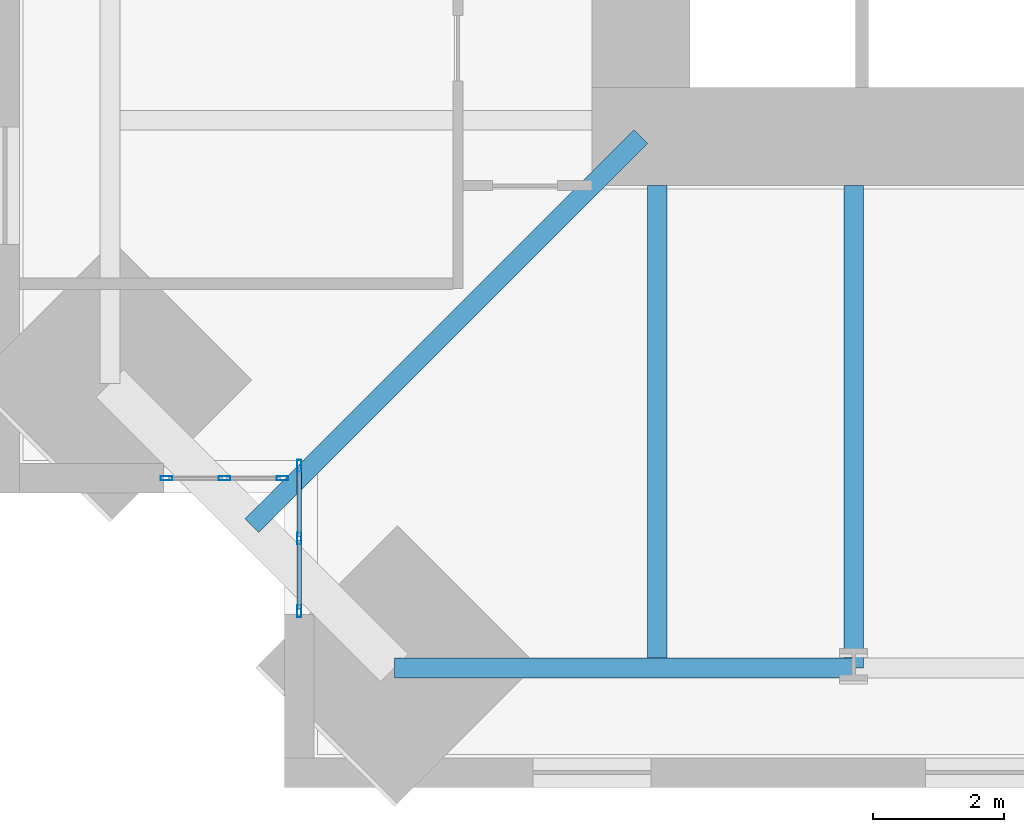
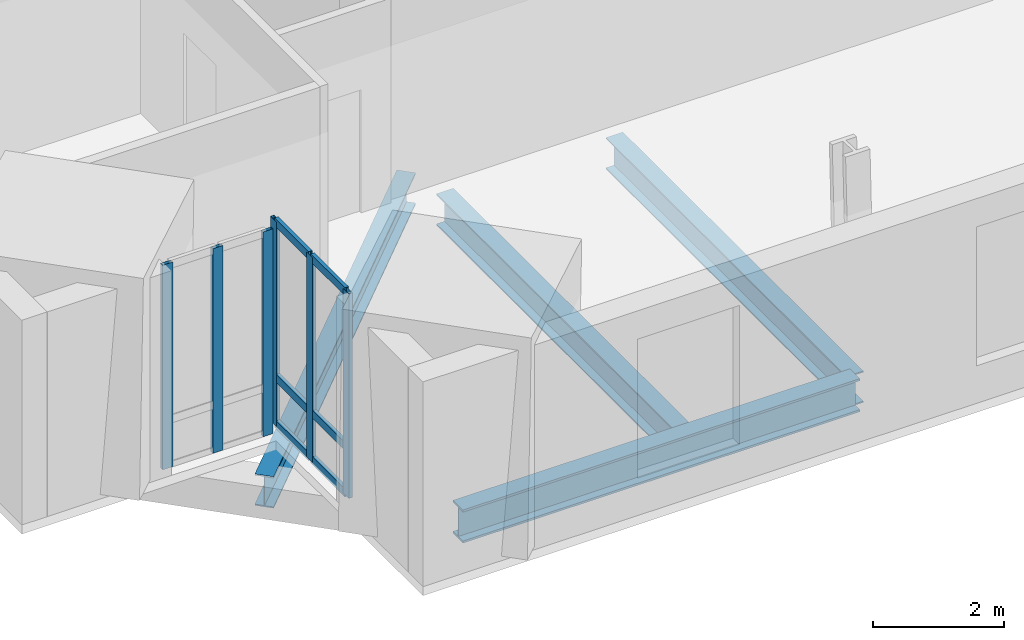
# One storey, part 2 of 15: 12 members, 4 beams, 2 elements without a shape of their own.
"""IFC4 building model written with IfcOpenShell, lengths in metres."""

from ifc_helpers import new_model, si_unit, direction, frame, origin, origin_2d, place, context, subcontext, project, spatial, hollow_rectangle, i_section, extrude, material, material_profile, profile_set, type_object, element, aggregate, save


model = new_model("IFC4")

# Units and contexts
model_context = context("Model", 3, precision=1e-05, world=origin(), true_north=direction((0.0, 1.0)))
body_context = subcontext(model_context, "Body", "Model", "MODEL_VIEW")
ifc_project = project(units=[si_unit("LENGTHUNIT", "METRE"), si_unit("AREAUNIT", "SQUARE_METRE"), si_unit("VOLUMEUNIT", "CUBIC_METRE"), si_unit("PLANEANGLEUNIT", "RADIAN"), si_unit("MASSUNIT", "GRAM", prefix="KILO")], contexts=[model_context])

# Site, building, storey
site_placement = place(None, origin())
site = spatial("IfcSite", under=ifc_project, at=site_placement, CompositionType="ELEMENT")
building_placement = place(site_placement, origin())
building = spatial("IfcBuilding", under=site, at=building_placement, Name="Peilmerk Tower", CompositionType="ELEMENT")
storey_placement = place(building_placement, frame((0.0, 0.0, 285.800048828125)))
storey = spatial("IfcBuildingStorey", under=building, at=storey_placement, Name="L64", CompositionType="ELEMENT", Elevation=285.800048828125)

# Beams
ifc_material_1 = material(Name="Steel S355", Category="steel")
ifc_material_profile_1 = material_profile(ifc_material_1, i_section(OverallWidth=0.300048828125, OverallDepth=0.590087890625, WebThickness=0.012939453125, FlangeThickness=0.02490234375, at=origin_2d()), Name="HEA 600")
ifc_profile_set_1 = profile_set([ifc_material_profile_1], Name="Steel S355")
beam_type_1 = type_object("IfcBeamType", Name="B27 HEA 600 floor beam", PredefinedType="BEAM", material=ifc_profile_set_1)
for number, where, z_axis, x_axis, name in (
    (1, (-11.0, -12.0, -0.465087890625), (0.0, -1.0, 0.0), (1.0, 0.0, 0.0), "Floor beam L64"),
    (2, (-8.0, -12.0, -0.465087890625), (0.0, -1.0, 0.0), (1.0, 0.0, 0.0), "Floor beam L64"),
):
    element("IfcBeam", number, at=place(storey_placement, frame(where, z_axis=z_axis, x_axis=x_axis)), inside=storey, type_object=beam_type_1, Name=name, PredefinedType="BEAM", context=body_context, shape_type="SweptSolid", body=[
        extrude(i_section(OverallWidth=0.300048828125, OverallDepth=0.590087890625, WebThickness=0.012939453125, FlangeThickness=0.02490234375, at=origin_2d()), origin(), (0.0, 0.0, 1.0), 7.37255859375),
    ])
beam_1_placement = place(storey_placement, frame((-11.25, -11.25, -0.465087890625), z_axis=(-0.707106781187, -0.707106781187, 0.0), x_axis=(0.707106781187, -0.707106781187, 0.0)))
element("IfcBeam", 3, at=beam_1_placement, inside=storey, type_object=beam_type_1, Name="Corner girder L64", PredefinedType="BEAM", context=body_context, shape_type="SweptSolid", body=[
    extrude(i_section(OverallWidth=0.300048828125, OverallDepth=0.590087890625, WebThickness=0.012939453125, FlangeThickness=0.02490234375, at=origin_2d()), origin(), (0.0, 0.0, 1.0), 8.4111328125),
])
ifc_material_profile_2 = material_profile(ifc_material_1, i_section(OverallWidth=0.304931640625, OverallDepth=0.6201171875, WebThickness=0.02099609375, FlangeThickness=0.0400390625, at=origin_2d()), Name="HEM 600")
ifc_profile_set_2 = profile_set([ifc_material_profile_2], Name="Steel S355")
beam_type_2 = type_object("IfcBeamType", Name="B31 HEM 600 edge beam", PredefinedType="SPANDREL", material=ifc_profile_set_2)
beam_2_placement = place(storey_placement, frame((-15.0224609375, -19.37255859375, -0.47998046875), z_axis=(1.0, 0.0, 0.0), x_axis=(0.0, 1.0, 0.0)))
element("IfcBeam", 4, at=beam_2_placement, inside=storey, type_object=beam_type_2, Name="Edge beam L64", PredefinedType="SPANDREL", context=body_context, shape_type="SweptSolid", body=[
    extrude(i_section(OverallWidth=0.304931640625, OverallDepth=0.6201171875, WebThickness=0.02099609375, FlangeThickness=0.0400390625, at=origin_2d()), origin(), (0.0, 0.0, 1.0), 7.0224609375),
])

# Curtain wall, members
ifc_material_2 = material(Name="Aluminium stick curtain wall", Category="aluminium")
curtain_wall_type = type_object("IfcCurtainWallType", Name="CW4 stick curtain wall, 2250 module", PredefinedType="NOTDEFINED", material=ifc_material_2)
curtain_wall_1_placement = place(storey_placement, origin())
curtain_wall_1 = element("IfcCurtainWall", 5, at=curtain_wall_1_placement, inside=storey, type_object=curtain_wall_type, Name="Curtain wall CW4 SWA L64", PredefinedType="NOTDEFINED")
ifc_material_3 = material(Name="Aluminium EN AW-6063 T6", Category="aluminium")
ifc_material_profile_3 = material_profile(ifc_material_3, hollow_rectangle(XDim=0.06494140625, YDim=0.179931640625, WallThickness=0.0029296875, at=origin_2d()), Name="AL 180x65x3")
ifc_profile_set_3 = profile_set([ifc_material_profile_3], Name="Aluminium EN AW-6063 T6")
member_type_1 = type_object("IfcMemberType", Name="CW4-M AL 180x65x3 mullion", PredefinedType="MULLION", material=ifc_profile_set_3)
member_1_placement = place(storey_placement, frame((-16.47509765625, -16.282470703125, 0.0), z_axis=(0.0, 0.0, 1.0), x_axis=(1.0, 0.0, 0.0)))
member_1 = element("IfcMember", 6, at=member_1_placement, type_object=member_type_1, Name="CW4 mullion 1", PredefinedType="MULLION", context=body_context, shape_type="SweptSolid", body=[
    extrude(hollow_rectangle(XDim=0.06494140625, YDim=0.179931640625, WallThickness=0.0029296875, at=origin_2d()), origin(), (0.0, 0.0, 1.0), 3.829833984375),
])
member_2_placement = place(storey_placement, frame((-16.47509765625, -17.394287109375, 0.0), z_axis=(0.0, 0.0, 1.0), x_axis=(1.0, 0.0, 0.0)))
member_2 = element("IfcMember", 7, at=member_2_placement, type_object=member_type_1, Name="CW4 mullion 2", PredefinedType="MULLION", context=body_context, shape_type="SweptSolid", body=[
    extrude(hollow_rectangle(XDim=0.06494140625, YDim=0.179931640625, WallThickness=0.0029296875, at=origin_2d()), origin(), (0.0, 0.0, 1.0), 3.829833984375),
])
member_3_placement = place(storey_placement, frame((-16.47509765625, -18.506103515625, 0.0), z_axis=(0.0, 0.0, 1.0), x_axis=(1.0, 0.0, 0.0)))
member_3 = element("IfcMember", 8, at=member_3_placement, type_object=member_type_1, Name="CW4 mullion 3", PredefinedType="MULLION", context=body_context, shape_type="SweptSolid", body=[
    extrude(hollow_rectangle(XDim=0.06494140625, YDim=0.179931640625, WallThickness=0.0029296875, at=origin_2d()), origin(), (0.0, 0.0, 1.0), 3.829833984375),
])

curtain_wall_2_placement = place(storey_placement, origin())
curtain_wall_2 = element("IfcCurtainWall", 9, at=curtain_wall_2_placement, inside=storey, type_object=curtain_wall_type, Name="Curtain wall CW4 SWB L64", PredefinedType="NOTDEFINED")
member_4_placement = place(storey_placement, frame((-16.732421875, -16.47509765625, 0.0), z_axis=(0.0, 0.0, 1.0), x_axis=(0.0, -1.0, 0.0)))
member_4 = element("IfcMember", 10, at=member_4_placement, type_object=member_type_1, Name="CW4 mullion 1", PredefinedType="MULLION", context=body_context, shape_type="SweptSolid", body=[
    extrude(hollow_rectangle(XDim=0.06494140625, YDim=0.179931640625, WallThickness=0.0029296875, at=origin_2d()), origin(), (0.0, 0.0, 1.0), 3.829833984375),
])
member_5_placement = place(storey_placement, frame((-17.619384765625, -16.47509765625, 0.0), z_axis=(0.0, 0.0, 1.0), x_axis=(0.0, -1.0, 0.0)))
member_5 = element("IfcMember", 11, at=member_5_placement, type_object=member_type_1, Name="CW4 mullion 2", PredefinedType="MULLION", context=body_context, shape_type="SweptSolid", body=[
    extrude(hollow_rectangle(XDim=0.06494140625, YDim=0.179931640625, WallThickness=0.0029296875, at=origin_2d()), origin(), (0.0, 0.0, 1.0), 3.829833984375),
])
member_6_placement = place(storey_placement, frame((-18.506103515625, -16.47509765625, 0.0), z_axis=(0.0, 0.0, 1.0), x_axis=(0.0, -1.0, 0.0)))
member_6 = element("IfcMember", 12, at=member_6_placement, type_object=member_type_1, Name="CW4 mullion 3", PredefinedType="MULLION", context=body_context, shape_type="SweptSolid", body=[
    extrude(hollow_rectangle(XDim=0.06494140625, YDim=0.179931640625, WallThickness=0.0029296875, at=origin_2d()), origin(), (0.0, 0.0, 1.0), 3.829833984375),
])
aggregate(curtain_wall_2, [member_4, member_5, member_6])

# Member
ifc_material_profile_4 = material_profile(ifc_material_3, hollow_rectangle(XDim=0.06494140625, YDim=0.14990234375, WallThickness=0.0029296875, at=origin_2d()), Name="AL 150x65x3")
ifc_profile_set_4 = profile_set([ifc_material_profile_4], Name="Aluminium EN AW-6063 T6")
member_type_2 = type_object("IfcMemberType", Name="CW4-T AL 150x65x3 transom", PredefinedType="USERDEFINED", material=ifc_profile_set_4)
member_7_placement = place(storey_placement, frame((-16.47509765625, -16.31494140625, 0.032470703125), z_axis=(0.0, -1.0, 0.0), x_axis=(1.0, 0.0, 0.0)))
member_7 = element("IfcMember", 13, at=member_7_placement, type_object=member_type_2, Name="CW4 transom 1.1", ObjectType="TRANSOM", PredefinedType="USERDEFINED", context=body_context, shape_type="SweptSolid", body=[
    extrude(hollow_rectangle(XDim=0.06494140625, YDim=0.14990234375, WallThickness=0.0029296875, at=origin_2d()), origin(), (0.0, 0.0, 1.0), 1.046875),
])

member_8_placement = place(storey_placement, frame((-16.47509765625, -16.31494140625, 0.89990234375), z_axis=(0.0, -1.0, 0.0), x_axis=(1.0, 0.0, 0.0)))
member_8 = element("IfcMember", 14, at=member_8_placement, type_object=member_type_2, Name="CW4 transom 1.2", ObjectType="TRANSOM", PredefinedType="USERDEFINED", context=body_context, shape_type="SweptSolid", body=[
    extrude(hollow_rectangle(XDim=0.06494140625, YDim=0.14990234375, WallThickness=0.0029296875, at=origin_2d()), origin(), (0.0, 0.0, 1.0), 1.046875),
])

member_9_placement = place(storey_placement, frame((-16.47509765625, -16.31494140625, 3.79736328125), z_axis=(0.0, -1.0, 0.0), x_axis=(1.0, 0.0, 0.0)))
member_9 = element("IfcMember", 15, at=member_9_placement, type_object=member_type_2, Name="CW4 transom 1.3", ObjectType="TRANSOM", PredefinedType="USERDEFINED", context=body_context, shape_type="SweptSolid", body=[
    extrude(hollow_rectangle(XDim=0.06494140625, YDim=0.14990234375, WallThickness=0.0029296875, at=origin_2d()), origin(), (0.0, 0.0, 1.0), 1.046875),
])

member_10_placement = place(storey_placement, frame((-16.47509765625, -17.4267578125, 0.032470703125), z_axis=(0.0, -1.0, 0.0), x_axis=(1.0, 0.0, 0.0)))
member_10 = element("IfcMember", 16, at=member_10_placement, type_object=member_type_2, Name="CW4 transom 2.1", ObjectType="TRANSOM", PredefinedType="USERDEFINED", context=body_context, shape_type="SweptSolid", body=[
    extrude(hollow_rectangle(XDim=0.06494140625, YDim=0.14990234375, WallThickness=0.0029296875, at=origin_2d()), origin(), (0.0, 0.0, 1.0), 1.046875),
])

member_11_placement = place(storey_placement, frame((-16.47509765625, -17.4267578125, 0.89990234375), z_axis=(0.0, -1.0, 0.0), x_axis=(1.0, 0.0, 0.0)))
member_11 = element("IfcMember", 17, at=member_11_placement, type_object=member_type_2, Name="CW4 transom 2.2", ObjectType="TRANSOM", PredefinedType="USERDEFINED", context=body_context, shape_type="SweptSolid", body=[
    extrude(hollow_rectangle(XDim=0.06494140625, YDim=0.14990234375, WallThickness=0.0029296875, at=origin_2d()), origin(), (0.0, 0.0, 1.0), 1.046875),
])

member_12_placement = place(storey_placement, frame((-16.47509765625, -17.4267578125, 3.79736328125), z_axis=(0.0, -1.0, 0.0), x_axis=(1.0, 0.0, 0.0)))
member_12 = element("IfcMember", 18, at=member_12_placement, type_object=member_type_2, Name="CW4 transom 2.3", ObjectType="TRANSOM", PredefinedType="USERDEFINED", context=body_context, shape_type="SweptSolid", body=[
    extrude(hollow_rectangle(XDim=0.06494140625, YDim=0.14990234375, WallThickness=0.0029296875, at=origin_2d()), origin(), (0.0, 0.0, 1.0), 1.046875),
])

aggregate(curtain_wall_1, [member_1, member_2, member_3, member_7, member_8, member_9, member_10, member_11, member_12])

save(model, "model.ifc")
